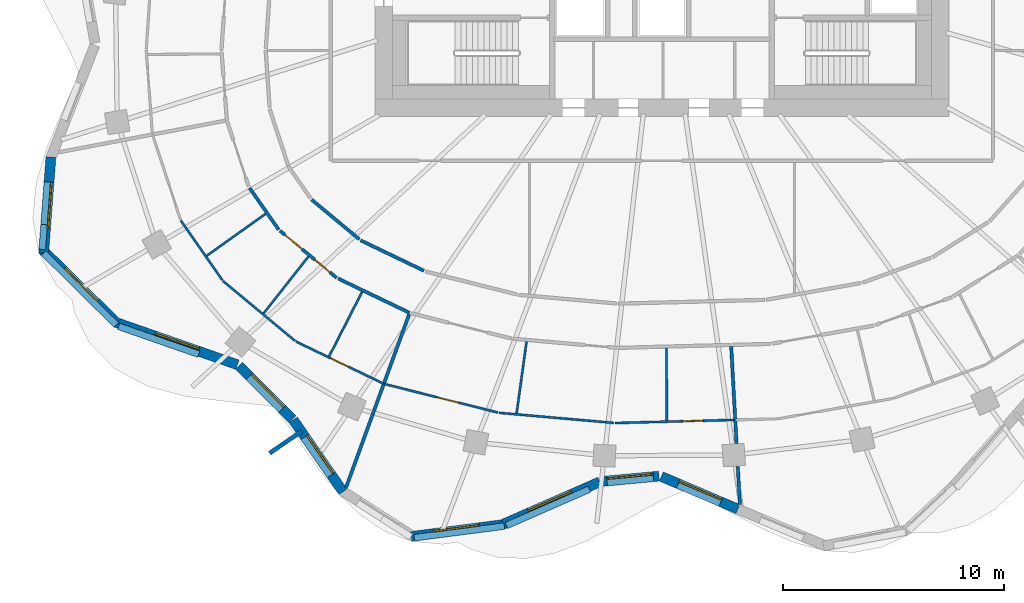
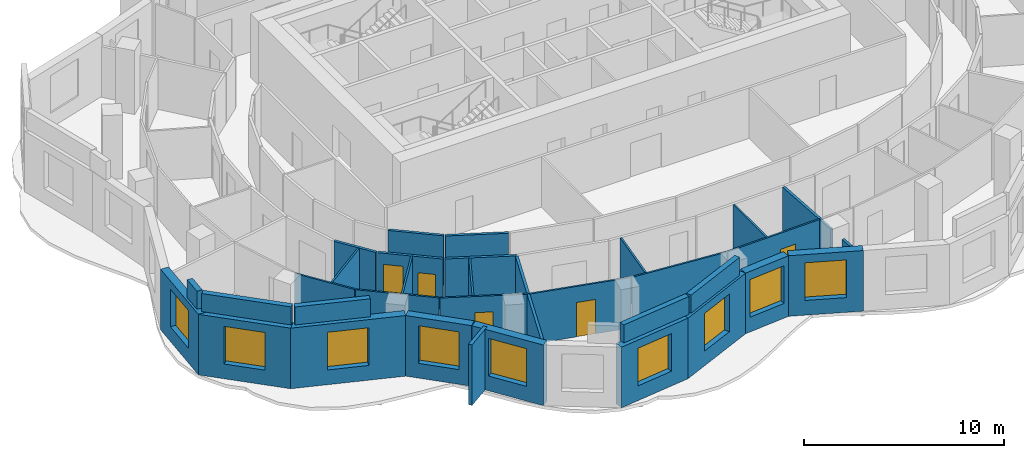
# One storey, part 3 of 11: 34 walls, 9 windows, 5 doors, 14 openings.
"""IFC4 building model written with IfcOpenShell, lengths in metres."""

from ifc_helpers import new_model, si_unit, direction, frame, frame_2d, origin, place, context, subcontext, project, spatial, rectangle, extrude, material, layer, layer_set, type_object, element, fill, save


model = new_model("IFC4")

# Units and contexts
model_context = context("Model", 3, precision=1e-05, world=origin(), true_north=direction((0.0, 1.0)))
body_context = subcontext(model_context, "Body", "Model", "MODEL_VIEW")
ifc_project = project(units=[si_unit("LENGTHUNIT", "METRE"), si_unit("AREAUNIT", "SQUARE_METRE"), si_unit("VOLUMEUNIT", "CUBIC_METRE"), si_unit("PLANEANGLEUNIT", "RADIAN"), si_unit("MASSUNIT", "GRAM", prefix="KILO")], contexts=[model_context])

# Site, building, storey
site_placement = place(None, origin())
site = spatial("IfcSite", under=ifc_project, at=site_placement, CompositionType="ELEMENT")
building_placement = place(site_placement, origin())
building = spatial("IfcBuilding", under=site, at=building_placement, Name="Rubra Terraces Tower", CompositionType="ELEMENT")
storey_placement = place(building_placement, frame((0.0, 0.0, 197.39990234375)))
storey = spatial("IfcBuildingStorey", under=building, at=storey_placement, Name="L48", CompositionType="ELEMENT", Elevation=197.39990234375)

# Wall, opening, window
ifc_material_1 = material(Name="Brick masonry red-brown", Category="masonry")
ifc_layer_1 = layer(ifc_material_1, 0.449951171875)
ifc_layer_set_1 = layer_set([ifc_layer_1], Name="Brick masonry red-brown")
wall_type_1 = type_object("IfcWallType", Name="Brick facade wall 450", PredefinedType="SOLIDWALL", material=ifc_layer_set_1)
wall_1_placement = place(storey_placement, frame((-27.671142578125, -4.831298828125, 0.0), z_axis=(0.0, 0.0, 1.0), x_axis=(-0.075658122047, -0.997133816781, 0.0)))
wall_1 = element("IfcWall", 1, at=wall_1_placement, inside=storey, type_object=wall_type_1, Name="Facade wall L48 bay 22", PredefinedType="SOLIDWALL", context=body_context, shape_type="SweptSolid", body=[
    extrude(rectangle(XDim=4.369140625, YDim=0.449951171875, at=frame_2d((2.1845703125, 0.0))), origin(), (0.0, 0.0, 1.0), 3.7001953125),
])
opening_1_placement = place(wall_1_placement, frame((1.134521484375, 0.0, 0.89990234375)))
opening_1 = element("IfcOpeningElement", 2, at=opening_1_placement, cuts=wall_1, Name="Opening W1B", PredefinedType="OPENING", context=body_context, shape_type="SweptSolid", body=[
    extrude(rectangle(XDim=2.10009765625, YDim=2.300048828125, at=frame_2d((1.050048828125, 1.14990234375))), frame((0.0, 0.23486328125, 0.0), z_axis=(0.0, -1.0, 0.0), x_axis=(1.0, 0.0, 0.0)), (0.0, 0.0, 1.0), 0.469970703125),
])
ifc_material_2 = material(Name="Clear glass in aluminium frame", Category="aluminium")
window_type = type_object("IfcWindowType", Name="Fixed deep-set window tall storey 2100 x 2300", PartitioningType="SINGLE_PANEL", PredefinedType="WINDOW", material=ifc_material_2)
window_1_placement = place(opening_1_placement, origin())
window_1 = element("IfcWindow", 3, at=window_1_placement, inside=storey, type_object=window_type, Name="Window L48 bay 22", OverallHeight=2.300048828125, OverallWidth=2.10009765625, PartitioningType="SINGLE_PANEL", PredefinedType="WINDOW", context=body_context, shape_type="SweptSolid", body=[
    extrude(rectangle(XDim=2.10009765625, YDim=2.300048828125, at=frame_2d((1.050048828125, 1.14990234375))), frame((0.0, 0.135009765625, 0.0), z_axis=(0.0, -1.0, 0.0), x_axis=(1.0, 0.0, 0.0)), (0.0, 0.0, 1.0), 0.06005859375),
])
fill(opening_1, window_1)

wall_2_placement = place(storey_placement, frame((-28.06787109375, -9.010986328125, 0.0), z_axis=(0.0, 0.0, 1.0), x_axis=(0.711293453435, -0.702895172199, 0.0)))
wall_2 = element("IfcWall", 4, at=wall_2_placement, inside=storey, type_object=wall_type_1, Name="Facade wall L48 bay 23", PredefinedType="SOLIDWALL", context=body_context, shape_type="SweptSolid", body=[
    extrude(rectangle(XDim=4.767578125, YDim=0.449951171875, at=frame_2d((2.3837890625, 0.0))), origin(), (0.0, 0.0, 1.0), 3.7001953125),
])
opening_2_placement = place(wall_2_placement, frame((1.333740234375, 0.0, 0.89990234375)))
opening_2 = element("IfcOpeningElement", 5, at=opening_2_placement, cuts=wall_2, Name="Opening W1B", PredefinedType="OPENING", context=body_context, shape_type="SweptSolid", body=[
    extrude(rectangle(XDim=2.10009765625, YDim=2.300048828125, at=frame_2d((1.050048828125, 1.14990234375))), frame((0.0, 0.23486328125, 0.0), z_axis=(0.0, -1.0, 0.0), x_axis=(1.0, 0.0, 0.0)), (0.0, 0.0, 1.0), 0.469970703125),
])
window_2_placement = place(opening_2_placement, origin())
window_2 = element("IfcWindow", 6, at=window_2_placement, inside=storey, type_object=window_type, Name="Window L48 bay 23", OverallHeight=2.300048828125, OverallWidth=2.10009765625, PartitioningType="SINGLE_PANEL", PredefinedType="WINDOW", context=body_context, shape_type="SweptSolid", body=[
    extrude(rectangle(XDim=2.10009765625, YDim=2.300048828125, at=frame_2d((1.050048828125, 1.14990234375))), frame((0.0, 0.135009765625, 0.0), z_axis=(0.0, -1.0, 0.0), x_axis=(1.0, 0.0, 0.0)), (0.0, 0.0, 1.0), 0.06005859375),
])
fill(opening_2, window_2)

wall_3_placement = place(storey_placement, frame((-24.760986328125, -12.309814453125, 0.0), z_axis=(0.0, 0.0, 1.0), x_axis=(0.944397305248, -0.328806523414, 0.0)))
wall_3 = element("IfcWall", 7, at=wall_3_placement, inside=storey, type_object=wall_type_1, Name="Facade wall L48 bay 24", PredefinedType="SOLIDWALL", context=body_context, shape_type="SweptSolid", body=[
    extrude(rectangle(XDim=5.862060546875, YDim=0.449951171875, at=frame_2d((2.93115234375, 0.0))), origin(), (0.0, 0.0, 1.0), 3.7001953125),
])
opening_3_placement = place(wall_3_placement, frame((1.881103515625, 0.0, 0.89990234375)))
opening_3 = element("IfcOpeningElement", 8, at=opening_3_placement, cuts=wall_3, Name="Opening W1B", PredefinedType="OPENING", context=body_context, shape_type="SweptSolid", body=[
    extrude(rectangle(XDim=2.10009765625, YDim=2.300048828125, at=frame_2d((1.050048828125, 1.14990234375))), frame((0.0, 0.23486328125, 0.0), z_axis=(0.0, -1.0, 0.0), x_axis=(1.0, 0.0, 0.0)), (0.0, 0.0, 1.0), 0.469970703125),
])
window_3_placement = place(opening_3_placement, origin())
window_3 = element("IfcWindow", 9, at=window_3_placement, inside=storey, type_object=window_type, Name="Window L48 bay 24", OverallHeight=2.300048828125, OverallWidth=2.10009765625, PartitioningType="SINGLE_PANEL", PredefinedType="WINDOW", context=body_context, shape_type="SweptSolid", body=[
    extrude(rectangle(XDim=2.10009765625, YDim=2.300048828125, at=frame_2d((1.050048828125, 1.14990234375))), frame((0.0, 0.135009765625, 0.0), z_axis=(0.0, -1.0, 0.0), x_axis=(1.0, 0.0, 0.0)), (0.0, 0.0, 1.0), 0.06005859375),
])
fill(opening_3, window_3)

wall_4_placement = place(storey_placement, frame((-19.145263671875, -14.285400390625, 0.0), z_axis=(0.0, 0.0, 1.0), x_axis=(0.707427521052, -0.706785895769, 0.0)))
wall_4 = element("IfcWall", 10, at=wall_4_placement, inside=storey, type_object=wall_type_1, Name="Facade wall L48 bay 25", PredefinedType="SOLIDWALL", context=body_context, shape_type="SweptSolid", body=[
    extrude(rectangle(XDim=3.424560546875, YDim=0.449951171875, at=frame_2d((1.71240234375, 0.0))), origin(), (0.0, 0.0, 1.0), 3.7001953125),
])
opening_4_placement = place(wall_4_placement, frame((0.662353515625, 0.0, 0.89990234375)))
opening_4 = element("IfcOpeningElement", 11, at=opening_4_placement, cuts=wall_4, Name="Opening W1B", PredefinedType="OPENING", context=body_context, shape_type="SweptSolid", body=[
    extrude(rectangle(XDim=2.10009765625, YDim=2.300048828125, at=frame_2d((1.050048828125, 1.14990234375))), frame((0.0, 0.23486328125, 0.0), z_axis=(0.0, -1.0, 0.0), x_axis=(1.0, 0.0, 0.0)), (0.0, 0.0, 1.0), 0.469970703125),
])
window_4_placement = place(opening_4_placement, origin())
window_4 = element("IfcWindow", 12, at=window_4_placement, inside=storey, type_object=window_type, Name="Window L48 bay 25", OverallHeight=2.300048828125, OverallWidth=2.10009765625, PartitioningType="SINGLE_PANEL", PredefinedType="WINDOW", context=body_context, shape_type="SweptSolid", body=[
    extrude(rectangle(XDim=2.10009765625, YDim=2.300048828125, at=frame_2d((1.050048828125, 1.14990234375))), frame((0.0, 0.135009765625, 0.0), z_axis=(0.0, -1.0, 0.0), x_axis=(1.0, 0.0, 0.0)), (0.0, 0.0, 1.0), 0.06005859375),
])
fill(opening_4, window_4)

wall_5_placement = place(storey_placement, frame((-16.695068359375, -16.73681640625, 0.0), z_axis=(0.0, 0.0, 1.0), x_axis=(0.569652445465, -0.821885692402, 0.0)))
wall_5 = element("IfcWall", 13, at=wall_5_placement, inside=storey, type_object=wall_type_1, Name="Facade wall L48 bay 26", PredefinedType="SOLIDWALL", context=body_context, shape_type="SweptSolid", body=[
    extrude(rectangle(XDim=3.958740234375, YDim=0.449951171875, at=frame_2d((1.9794921875, 0.0))), origin(), (0.0, 0.0, 1.0), 3.7001953125),
])
opening_5_placement = place(wall_5_placement, frame((0.929443359375, 0.0, 0.89990234375)))
opening_5 = element("IfcOpeningElement", 14, at=opening_5_placement, cuts=wall_5, Name="Opening W1B", PredefinedType="OPENING", context=body_context, shape_type="SweptSolid", body=[
    extrude(rectangle(XDim=2.10009765625, YDim=2.300048828125, at=frame_2d((1.050048828125, 1.14990234375))), frame((0.0, 0.23486328125, 0.0), z_axis=(0.0, -1.0, 0.0), x_axis=(1.0, 0.0, 0.0)), (0.0, 0.0, 1.0), 0.469970703125),
])
window_5_placement = place(opening_5_placement, origin())
window_5 = element("IfcWindow", 15, at=window_5_placement, inside=storey, type_object=window_type, Name="Window L48 bay 26", OverallHeight=2.300048828125, OverallWidth=2.10009765625, PartitioningType="SINGLE_PANEL", PredefinedType="WINDOW", context=body_context, shape_type="SweptSolid", body=[
    extrude(rectangle(XDim=2.10009765625, YDim=2.300048828125, at=frame_2d((1.050048828125, 1.14990234375))), frame((0.0, 0.135009765625, 0.0), z_axis=(0.0, -1.0, 0.0), x_axis=(1.0, 0.0, 0.0)), (0.0, 0.0, 1.0), 0.06005859375),
])
fill(opening_5, window_5)

wall_6_placement = place(storey_placement, frame((-11.36181640625, -22.017822265625, 0.0), z_axis=(0.0, 0.0, 1.0), x_axis=(0.991724958022, 0.128380713645, 0.0)))
wall_6 = element("IfcWall", 16, at=wall_6_placement, inside=storey, type_object=wall_type_1, Name="Facade wall L48 bay 28", PredefinedType="SOLIDWALL", context=body_context, shape_type="SweptSolid", body=[
    extrude(rectangle(XDim=4.181884765625, YDim=0.449951171875, at=frame_2d((2.0908203125, 0.0))), origin(), (0.0, 0.0, 1.0), 3.7001953125),
])
opening_6_placement = place(wall_6_placement, frame((1.041015625, 0.0, 0.89990234375)))
opening_6 = element("IfcOpeningElement", 17, at=opening_6_placement, cuts=wall_6, Name="Opening W1B", PredefinedType="OPENING", context=body_context, shape_type="SweptSolid", body=[
    extrude(rectangle(XDim=2.10009765625, YDim=2.300048828125, at=frame_2d((1.050048828125, 1.14990234375))), frame((0.0, 0.23486328125, 0.0), z_axis=(0.0, -1.0, 0.0), x_axis=(1.0, 0.0, 0.0)), (0.0, 0.0, 1.0), 0.469970703125),
])
window_6_placement = place(opening_6_placement, origin())
window_6 = element("IfcWindow", 18, at=window_6_placement, inside=storey, type_object=window_type, Name="Window L48 bay 28", OverallHeight=2.300048828125, OverallWidth=2.10009765625, PartitioningType="SINGLE_PANEL", PredefinedType="WINDOW", context=body_context, shape_type="SweptSolid", body=[
    extrude(rectangle(XDim=2.10009765625, YDim=2.300048828125, at=frame_2d((1.050048828125, 1.14990234375))), frame((0.0, 0.135009765625, 0.0), z_axis=(0.0, -1.0, 0.0), x_axis=(1.0, 0.0, 0.0)), (0.0, 0.0, 1.0), 0.06005859375),
])
fill(opening_6, window_6)

wall_7_placement = place(storey_placement, frame((-7.27587890625, -21.498046875, 0.0), z_axis=(0.0, 0.0, 1.0), x_axis=(0.915872941312, 0.401468249519, 0.0)))
wall_7 = element("IfcWall", 19, at=wall_7_placement, inside=storey, type_object=wall_type_1, Name="Facade wall L48 bay 29", PredefinedType="SOLIDWALL", context=body_context, shape_type="SweptSolid", body=[
    extrude(rectangle(XDim=4.870361328125, YDim=0.449951171875, at=frame_2d((2.43505859375, 0.0))), origin(), (0.0, 0.0, 1.0), 3.7001953125),
])
opening_7_placement = place(wall_7_placement, frame((1.38525390625, 0.0, 0.89990234375)))
opening_7 = element("IfcOpeningElement", 20, at=opening_7_placement, cuts=wall_7, Name="Opening W1B", PredefinedType="OPENING", context=body_context, shape_type="SweptSolid", body=[
    extrude(rectangle(XDim=2.10009765625, YDim=2.300048828125, at=frame_2d((1.050048828125, 1.14990234375))), frame((0.0, 0.23486328125, 0.0), z_axis=(0.0, -1.0, 0.0), x_axis=(1.0, 0.0, 0.0)), (0.0, 0.0, 1.0), 0.469970703125),
])
window_7_placement = place(opening_7_placement, origin())
window_7 = element("IfcWindow", 21, at=window_7_placement, inside=storey, type_object=window_type, Name="Window L48 bay 29", OverallHeight=2.300048828125, OverallWidth=2.10009765625, PartitioningType="SINGLE_PANEL", PredefinedType="WINDOW", context=body_context, shape_type="SweptSolid", body=[
    extrude(rectangle(XDim=2.10009765625, YDim=2.300048828125, at=frame_2d((1.050048828125, 1.14990234375))), frame((0.0, 0.135009765625, 0.0), z_axis=(0.0, -1.0, 0.0), x_axis=(1.0, 0.0, 0.0)), (0.0, 0.0, 1.0), 0.06005859375),
])
fill(opening_7, window_7)

wall_8_placement = place(storey_placement, frame((-2.745361328125, -19.52490234375, 0.0), z_axis=(0.0, 0.0, 1.0), x_axis=(0.995768774275, 0.091894222771, 0.0)))
wall_8 = element("IfcWall", 22, at=wall_8_placement, inside=storey, type_object=wall_type_1, Name="Facade wall L48 bay 30", PredefinedType="SOLIDWALL", context=body_context, shape_type="SweptSolid", body=[
    extrude(rectangle(XDim=2.624755859375, YDim=0.449951171875, at=frame_2d((1.3125, 0.0))), origin(), (0.0, 0.0, 1.0), 3.7001953125),
])
opening_8_placement = place(wall_8_placement, frame((0.262451171875, 0.0, 0.89990234375)))
opening_8 = element("IfcOpeningElement", 23, at=opening_8_placement, cuts=wall_8, Name="Opening W1B", PredefinedType="OPENING", context=body_context, shape_type="SweptSolid", body=[
    extrude(rectangle(XDim=2.10009765625, YDim=2.300048828125, at=frame_2d((1.050048828125, 1.14990234375))), frame((0.0, 0.23486328125, 0.0), z_axis=(0.0, -1.0, 0.0), x_axis=(1.0, 0.0, 0.0)), (0.0, 0.0, 1.0), 0.469970703125),
])
window_8_placement = place(opening_8_placement, origin())
window_8 = element("IfcWindow", 24, at=window_8_placement, inside=storey, type_object=window_type, Name="Window L48 bay 30", OverallHeight=2.300048828125, OverallWidth=2.10009765625, PartitioningType="SINGLE_PANEL", PredefinedType="WINDOW", context=body_context, shape_type="SweptSolid", body=[
    extrude(rectangle(XDim=2.10009765625, YDim=2.300048828125, at=frame_2d((1.050048828125, 1.14990234375))), frame((0.0, 0.135009765625, 0.0), z_axis=(0.0, -1.0, 0.0), x_axis=(1.0, 0.0, 0.0)), (0.0, 0.0, 1.0), 0.06005859375),
])
fill(opening_8, window_8)

wall_9_placement = place(storey_placement, frame((-0.0263671875, -19.29931640625, 0.0), z_axis=(0.0, 0.0, 1.0), x_axis=(0.920040408927, -0.391823488245, 0.0)))
wall_9 = element("IfcWall", 25, at=wall_9_placement, inside=storey, type_object=wall_type_1, Name="Facade wall L48 bay 31", PredefinedType="SOLIDWALL", context=body_context, shape_type="SweptSolid", body=[
    extrude(rectangle(XDim=3.769775390625, YDim=0.449951171875, at=frame_2d((1.884765625, 0.0))), origin(), (0.0, 0.0, 1.0), 3.7001953125),
])
opening_9_placement = place(wall_9_placement, frame((0.8349609375, 0.0, 0.89990234375)))
opening_9 = element("IfcOpeningElement", 26, at=opening_9_placement, cuts=wall_9, Name="Opening W1B", PredefinedType="OPENING", context=body_context, shape_type="SweptSolid", body=[
    extrude(rectangle(XDim=2.10009765625, YDim=2.300048828125, at=frame_2d((1.050048828125, 1.14990234375))), frame((0.0, 0.23486328125, 0.0), z_axis=(0.0, -1.0, 0.0), x_axis=(1.0, 0.0, 0.0)), (0.0, 0.0, 1.0), 0.469970703125),
])
window_9_placement = place(opening_9_placement, origin())
window_9 = element("IfcWindow", 27, at=window_9_placement, inside=storey, type_object=window_type, Name="Window L48 bay 31", OverallHeight=2.300048828125, OverallWidth=2.10009765625, PartitioningType="SINGLE_PANEL", PredefinedType="WINDOW", context=body_context, shape_type="SweptSolid", body=[
    extrude(rectangle(XDim=2.10009765625, YDim=2.300048828125, at=frame_2d((1.050048828125, 1.14990234375))), frame((0.0, 0.135009765625, 0.0), z_axis=(0.0, -1.0, 0.0), x_axis=(1.0, 0.0, 0.0)), (0.0, 0.0, 1.0), 0.06005859375),
])
fill(opening_9, window_9)

# Walls
ifc_layer_2 = layer(ifc_material_1, 0.300048828125)
ifc_layer_set_2 = layer_set([ifc_layer_2], Name="Brick masonry red-brown")
wall_type_2 = type_object("IfcWallType", Name="Brick parapet 300", PredefinedType="PARAPET", material=ifc_layer_set_2)
wall_10_placement = place(storey_placement, frame((-27.978515625, -7.892333984375, 3.900146484375), z_axis=(0.0, 0.0, 1.0), x_axis=(-0.075750382553, -0.997126812167, 0.0)))
element("IfcWall", 28, at=wall_10_placement, inside=storey, type_object=wall_type_2, Name="Parapet L48 bay 22", PredefinedType="PARAPET", context=body_context, shape_type="SweptSolid", body=[
    extrude(rectangle(XDim=1.124755859375, YDim=0.300048828125, at=frame_2d((0.5625, 0.0))), origin(), (0.0, 0.0, 1.0), 1.099853515625),
])
wall_11_placement = place(storey_placement, frame((-28.00048828125, -9.18310546875, 3.900146484375), z_axis=(0.0, 0.0, 1.0), x_axis=(0.711291435321, -0.702897214419, 0.0)))
element("IfcWall", 29, at=wall_11_placement, inside=storey, type_object=wall_type_2, Name="Parapet L48 bay 23", PredefinedType="PARAPET", context=body_context, shape_type="SweptSolid", body=[
    extrude(rectangle(XDim=4.62451171875, YDim=0.300048828125, at=frame_2d((2.312255859375, 0.0))), origin(), (0.0, 0.0, 1.0), 1.099853515625),
])
wall_12_placement = place(storey_placement, frame((-24.605224609375, -12.49951171875, 3.900146484375), z_axis=(0.0, 0.0, 1.0), x_axis=(0.944373295981, -0.328875474668, 0.0)))
element("IfcWall", 30, at=wall_12_placement, inside=storey, type_object=wall_type_2, Name="Parapet L48 bay 24", PredefinedType="PARAPET", context=body_context, shape_type="SweptSolid", body=[
    extrude(rectangle(XDim=3.84228515625, YDim=0.300048828125, at=frame_2d((1.921142578125, 0.0))), origin(), (0.0, 0.0, 1.0), 1.099853515625),
])
wall_13_placement = place(storey_placement, frame((-11.2138671875, -22.07421875, 3.900146484375), z_axis=(0.0, 0.0, 1.0), x_axis=(0.991727449614, 0.128361464939, 0.0)))
element("IfcWall", 31, at=wall_13_placement, inside=storey, type_object=wall_type_2, Name="Parapet L48 bay 28", PredefinedType="PARAPET", context=body_context, shape_type="SweptSolid", body=[
    extrude(rectangle(XDim=4.110107421875, YDim=0.300048828125, at=frame_2d((2.05517578125, 0.0))), origin(), (0.0, 0.0, 1.0), 1.099853515625),
])
wall_14_placement = place(storey_placement, frame((-7.039306640625, -21.519287109375, 3.900146484375), z_axis=(0.0, 0.0, 1.0), x_axis=(0.915890739732, 0.401427643384, 0.0)))
element("IfcWall", 32, at=wall_14_placement, inside=storey, type_object=wall_type_2, Name="Parapet L48 bay 29", PredefinedType="PARAPET", context=body_context, shape_type="SweptSolid", body=[
    extrude(rectangle(XDim=4.1015625, YDim=0.300048828125, at=frame_2d((2.05078125, 0.0))), origin(), (0.0, 0.0, 1.0), 1.099853515625),
])
ifc_layer_3 = layer(ifc_material_1, 0.199951171875)
ifc_layer_set_3 = layer_set([ifc_layer_3], Name="Brick masonry red-brown")
wall_type_3 = type_object("IfcWallType", Name="Brick wind fin 200", PredefinedType="SOLIDWALL", material=ifc_layer_set_3)
wall_15_placement = place(storey_placement, frame((-16.322021484375, -17.2529296875, 0.0), z_axis=(0.0, 0.0, 1.0), x_axis=(-0.824440606412, -0.565948483962, 0.0)))
element("IfcWall", 33, at=wall_15_placement, inside=storey, type_object=wall_type_3, Name="Wind fin L48 16", PredefinedType="SOLIDWALL", context=body_context, shape_type="SweptSolid", body=[
    extrude(rectangle(XDim=1.75, YDim=0.199951171875, at=frame_2d((0.875, 0.0))), origin(), (0.0, 0.0, 1.0), 3.7001953125),
])
ifc_material_3 = material(Name="Plasterboard on steel stud, mineral wool infill", Category="steel")
ifc_layer_4 = layer(ifc_material_3, 0.14990234375)
ifc_layer_set_4 = layer_set([ifc_layer_4], Name="Plasterboard on steel stud, mineral wool infill")
wall_type_4 = type_object("IfcWallType", Name="CORRIDOR PARTITION 150", PredefinedType="PARTITIONING", material=ifc_layer_set_4)
wall_16_placement = place(storey_placement, frame((-18.673828125, -6.231689453125, 0.0), z_axis=(0.0, 0.0, 1.0), x_axis=(0.572118665737, -0.820170855563, 0.0)))
element("IfcWall", 34, at=wall_16_placement, inside=storey, type_object=wall_type_4, Name="PARTITION", PredefinedType="PARTITIONING", context=body_context, shape_type="SweptSolid", body=[
    extrude(rectangle(XDim=2.30615234375, YDim=0.14990234375, at=frame_2d((1.153076171875, 0.0))), origin(), (0.0, 0.0, 1.0), 3.083984375),
])

# Wall, openings, doors
wall_17_placement = place(storey_placement, frame((-17.296875, -8.1708984375, 0.0), z_axis=(0.0, 0.0, 1.0), x_axis=(0.769228575061, -0.638973707839, 0.0)))
wall_17 = element("IfcWall", 35, at=wall_17_placement, inside=storey, type_object=wall_type_4, Name="PARTITION", PredefinedType="PARTITIONING", context=body_context, shape_type="SweptSolid", body=[
    extrude(rectangle(XDim=3.33447265625, YDim=0.14990234375, at=frame_2d((1.667236328125, 0.0))), origin(), (0.0, 0.0, 1.0), 3.083984375),
])
opening_10_placement = place(wall_17_placement, frame((0.300048828125, 0.0, 0.0)))
opening_10 = element("IfcOpeningElement", 36, at=opening_10_placement, cuts=wall_17, Name="Opening 48-118", PredefinedType="OPENING", context=body_context, shape_type="SweptSolid", body=[
    extrude(rectangle(XDim=1.0, YDim=2.39990234375, at=frame_2d((0.5, 1.199951171875))), frame((0.0, 0.0849609375, 0.0), z_axis=(0.0, -1.0, 0.0), x_axis=(1.0, 0.0, 0.0)), (0.0, 0.0, 1.0), 0.169921875),
])
opening_11_placement = place(wall_17_placement, frame((2.050048828125, 0.0, 0.0)))
opening_11 = element("IfcOpeningElement", 37, at=opening_11_placement, cuts=wall_17, Name="Opening 48-146", PredefinedType="OPENING", context=body_context, shape_type="SweptSolid", body=[
    extrude(rectangle(XDim=0.89990234375, YDim=2.10009765625, at=frame_2d((0.449951171875, 1.050048828125))), frame((0.0, 0.0849609375, 0.0), z_axis=(0.0, -1.0, 0.0), x_axis=(1.0, 0.0, 0.0)), (0.0, 0.0, 1.0), 0.169921875),
])
ifc_material_4 = material(Name="Painted timber door leaf", Category="wood")
door_type_1 = type_object("IfcDoorType", Name="BATHROOM DOOR 900 X 2100", OperationType="SINGLE_SWING_LEFT", PredefinedType="DOOR", material=ifc_material_4)
door_1_placement = place(opening_11_placement, origin())
door_1 = element("IfcDoor", 38, at=door_1_placement, inside=storey, type_object=door_type_1, Name="DOOR 48-146", OperationType="SINGLE_SWING_RIGHT", OverallHeight=2.10009765625, OverallWidth=0.89990234375, PredefinedType="DOOR", context=body_context, shape_type="SweptSolid", body=[
    extrude(rectangle(XDim=0.89990234375, YDim=2.10009765625, at=frame_2d((0.449951171875, 1.050048828125))), frame((0.0, 0.02490234375, 0.0), z_axis=(0.0, -1.0, 0.0), x_axis=(1.0, 0.0, 0.0)), (0.0, 0.0, 1.0), 0.050048828125),
])
fill(opening_11, door_1)
ifc_material_5 = material(Name="Glazed aluminium meeting door leaf", Category="aluminium")
door_type_2 = type_object("IfcDoorType", Name="MEETING ROOM GLAZED DOOR 1000 X 2400", OperationType="SINGLE_SWING_LEFT", PredefinedType="DOOR", material=ifc_material_5)
door_2_placement = place(opening_10_placement, origin())
door_2 = element("IfcDoor", 39, at=door_2_placement, inside=storey, type_object=door_type_2, Name="DOOR 48-118", OperationType="SINGLE_SWING_RIGHT", OverallHeight=2.39990234375, OverallWidth=1.0, PredefinedType="DOOR", context=body_context, shape_type="SweptSolid", body=[
    extrude(rectangle(XDim=1.0, YDim=2.39990234375, at=frame_2d((0.5, 1.199951171875))), frame((0.0, 0.02490234375, 0.0), z_axis=(0.0, -1.0, 0.0), x_axis=(1.0, 0.0, 0.0)), (0.0, 0.0, 1.0), 0.050048828125),
])
fill(opening_10, door_2)

# Walls
wall_18_placement = place(storey_placement, frame((-14.664306640625, -10.333984375, 0.0), z_axis=(0.0, 0.0, 1.0), x_axis=(0.901523057468, -0.432731067585, 0.0)))
element("IfcWall", 40, at=wall_18_placement, inside=storey, type_object=wall_type_4, Name="PARTITION", PredefinedType="PARTITIONING", context=body_context, shape_type="SweptSolid", body=[
    extrude(rectangle(XDim=3.594970703125, YDim=0.14990234375, at=frame_2d((1.79736328125, 0.0))), origin(), (0.0, 0.0, 1.0), 3.083984375),
])
wall_19_placement = place(storey_placement, frame((-10.7763671875, -9.981689453125, 0.0), z_axis=(0.0, 0.0, 1.0), x_axis=(-0.901511079436, 0.432756020933, 0.0)))
element("IfcWall", 41, at=wall_19_placement, inside=storey, type_object=wall_type_4, Name="PARTITION", PredefinedType="PARTITIONING", context=body_context, shape_type="SweptSolid", body=[
    extrude(rectangle(XDim=3.1806640625, YDim=0.14990234375, at=frame_2d((1.59033203125, 0.0))), origin(), (0.0, 0.0, 1.0), 3.083984375),
])
wall_20_placement = place(storey_placement, frame((-13.70166015625, -8.557373046875, 0.0), z_axis=(0.0, 0.0, 1.0), x_axis=(-0.769221825067, 0.638981833733, 0.0)))
element("IfcWall", 42, at=wall_20_placement, inside=storey, type_object=wall_type_4, Name="PARTITION", PredefinedType="PARTITIONING", context=body_context, shape_type="SweptSolid", body=[
    extrude(rectangle(XDim=2.8173828125, YDim=0.14990234375, at=frame_2d((1.40869140625, 0.0))), origin(), (0.0, 0.0, 1.0), 3.083984375),
])

# Wall, opening, door
ifc_material_6 = material(Name="Plasterboard on steel stud", Category="steel")
ifc_layer_5 = layer(ifc_material_6, 0.10009765625)
ifc_layer_set_5 = layer_set([ifc_layer_5], Name="Plasterboard on steel stud")
wall_type_5 = type_object("IfcWallType", Name="ROOM PARTITION 100", PredefinedType="PARTITIONING", material=ifc_layer_set_5)
wall_21_placement = place(storey_placement, frame((-12.61083984375, -15.091064453125, 0.0), z_axis=(0.0, 0.0, 1.0), x_axis=(-0.901527382061, 0.432722057901, 0.0)))
wall_21 = element("IfcWall", 43, at=wall_21_placement, inside=storey, type_object=wall_type_5, Name="PARTITION", PredefinedType="PARTITIONING", context=body_context, shape_type="SweptSolid", body=[
    extrude(rectangle(XDim=4.40478515625, YDim=0.10009765625, at=frame_2d((2.202392578125, 0.0))), origin(), (0.0, 0.0, 1.0), 3.083984375),
])
opening_12_placement = place(wall_21_placement, frame((1.75, 0.0, 0.0)))
opening_12 = element("IfcOpeningElement", 44, at=opening_12_placement, cuts=wall_21, Name="Opening 48-119", PredefinedType="OPENING", context=body_context, shape_type="SweptSolid", body=[
    extrude(rectangle(XDim=0.89990234375, YDim=2.10009765625, at=frame_2d((0.449951171875, 1.050048828125))), frame((0.0, 0.06005859375, 0.0), z_axis=(0.0, -1.0, 0.0), x_axis=(1.0, 0.0, 0.0)), (0.0, 0.0, 1.0), 0.1201171875),
])
door_type_3 = type_object("IfcDoorType", Name="ROOM DOOR 900 X 2100", OperationType="SINGLE_SWING_LEFT", PredefinedType="DOOR", material=ifc_material_4)
door_3_placement = place(opening_12_placement, origin())
door_3 = element("IfcDoor", 45, at=door_3_placement, inside=storey, type_object=door_type_3, Name="DOOR 48-119", OperationType="SINGLE_SWING_LEFT", OverallHeight=2.10009765625, OverallWidth=0.89990234375, PredefinedType="DOOR", context=body_context, shape_type="SweptSolid", body=[
    extrude(rectangle(XDim=0.89990234375, YDim=2.10009765625, at=frame_2d((0.449951171875, 1.050048828125))), frame((0.0, 0.02490234375, 0.0), z_axis=(0.0, -1.0, 0.0), x_axis=(1.0, 0.0, 0.0)), (0.0, 0.0, 1.0), 0.050048828125),
])
fill(opening_12, door_3)

# Walls
wall_22_placement = place(storey_placement, frame((-16.6201171875, -13.153076171875, 0.0), z_axis=(0.0, 0.0, 1.0), x_axis=(-0.76922129881, 0.638982467253, 0.0)))
element("IfcWall", 46, at=wall_22_placement, inside=storey, type_object=wall_type_5, Name="PARTITION", PredefinedType="PARTITIONING", context=body_context, shape_type="SweptSolid", body=[
    extrude(rectangle(XDim=4.23828125, YDim=0.10009765625, at=frame_2d((2.119140625, 0.0))), origin(), (0.0, 0.0, 1.0), 3.083984375),
])
wall_23_placement = place(storey_placement, frame((-19.908935546875, -10.40380859375, 0.0), z_axis=(0.0, 0.0, 1.0), x_axis=(-0.572111951901, 0.820175538828, 0.0)))
element("IfcWall", 47, at=wall_23_placement, inside=storey, type_object=wall_type_5, Name="PARTITION", PredefinedType="PARTITIONING", context=body_context, shape_type="SweptSolid", body=[
    extrude(rectangle(XDim=3.2900390625, YDim=0.10009765625, at=frame_2d((1.64501953125, 0.0))), origin(), (0.0, 0.0, 1.0), 3.083984375),
])
wall_24_placement = place(storey_placement, frame((-17.94873046875, -7.402587890625, 0.0), z_axis=(0.0, 0.0, 1.0), x_axis=(-0.814111063542, -0.58070920108, 0.0)))
element("IfcWall", 48, at=wall_24_placement, inside=storey, type_object=wall_type_5, Name="PARTITION", PredefinedType="PARTITIONING", context=body_context, shape_type="SweptSolid", body=[
    extrude(rectangle(XDim=3.275146484375, YDim=0.10009765625, at=frame_2d((1.6376953125, 0.0))), origin(), (0.0, 0.0, 1.0), 3.083984375),
])
wall_25_placement = place(storey_placement, frame((-16.009033203125, -9.338134765625, 0.0), z_axis=(0.0, 0.0, 1.0), x_axis=(-0.619071458302, -0.785334660839, 0.0)))
element("IfcWall", 49, at=wall_25_placement, inside=storey, type_object=wall_type_5, Name="PARTITION", PredefinedType="PARTITIONING", context=body_context, shape_type="SweptSolid", body=[
    extrude(rectangle(XDim=3.27587890625, YDim=0.10009765625, at=frame_2d((1.637939453125, 0.0))), origin(), (0.0, 0.0, 1.0), 3.083984375),
])
wall_26_placement = place(storey_placement, frame((-13.57763671875, -10.938720703125, 0.0), z_axis=(0.0, 0.0, 1.0), x_axis=(-0.455540357247, -0.890215132942, 0.0)))
element("IfcWall", 50, at=wall_26_placement, inside=storey, type_object=wall_type_5, Name="PARTITION", PredefinedType="PARTITIONING", context=body_context, shape_type="SweptSolid", body=[
    extrude(rectangle(XDim=3.276123046875, YDim=0.10009765625, at=frame_2d((1.63818359375, 0.0))), origin(), (0.0, 0.0, 1.0), 3.083984375),
])

# Wall, opening, door
wall_27_placement = place(storey_placement, frame((3.3017578125, -16.7373046875, 0.0), z_axis=(0.0, 0.0, 1.0), x_axis=(-0.999665233763, -0.025873159948, 0.0)))
wall_27 = element("IfcWall", 51, at=wall_27_placement, inside=storey, type_object=wall_type_5, Name="PARTITION", PredefinedType="PARTITIONING", context=body_context, shape_type="SweptSolid", body=[
    extrude(rectangle(XDim=5.43505859375, YDim=0.10009765625, at=frame_2d((2.717529296875, 0.0))), origin(), (0.0, 0.0, 1.0), 3.083984375),
])
opening_13_placement = place(wall_27_placement, frame((1.4541015625, 0.0, 0.0)))
opening_13 = element("IfcOpeningElement", 52, at=opening_13_placement, cuts=wall_27, Name="Opening 48-123", PredefinedType="OPENING", context=body_context, shape_type="SweptSolid", body=[
    extrude(rectangle(XDim=0.89990234375, YDim=2.10009765625, at=frame_2d((0.449951171875, 1.050048828125))), frame((0.0, 0.06005859375, 0.0), z_axis=(0.0, -1.0, 0.0), x_axis=(1.0, 0.0, 0.0)), (0.0, 0.0, 1.0), 0.1201171875),
])
door_4_placement = place(opening_13_placement, origin())
door_4 = element("IfcDoor", 53, at=door_4_placement, inside=storey, type_object=door_type_3, Name="DOOR 48-123", OperationType="SINGLE_SWING_LEFT", OverallHeight=2.10009765625, OverallWidth=0.89990234375, PredefinedType="DOOR", context=body_context, shape_type="SweptSolid", body=[
    extrude(rectangle(XDim=0.89990234375, YDim=2.10009765625, at=frame_2d((0.449951171875, 1.050048828125))), frame((0.0, 0.02490234375, 0.0), z_axis=(0.0, -1.0, 0.0), x_axis=(1.0, 0.0, 0.0)), (0.0, 0.0, 1.0), 0.050048828125),
])
fill(opening_13, door_4)

# Wall
wall_28_placement = place(storey_placement, frame((-2.181396484375, -16.87353515625, 0.0), z_axis=(0.0, 0.0, 1.0), x_axis=(-0.996143934904, 0.087734035321, 0.0)))
element("IfcWall", 54, at=wall_28_placement, inside=storey, type_object=wall_type_5, Name="PARTITION", PredefinedType="PARTITIONING", context=body_context, shape_type="SweptSolid", body=[
    extrude(rectangle(XDim=5.217529296875, YDim=0.10009765625, at=frame_2d((2.60888671875, 0.0))), origin(), (0.0, 0.0, 1.0), 3.083984375),
])

# Wall, opening, door
wall_29_placement = place(storey_placement, frame((-7.427490234375, -16.403564453125, 0.0), z_axis=(0.0, 0.0, 1.0), x_axis=(-0.969770679243, 0.244018092937, 0.0)))
wall_29 = element("IfcWall", 55, at=wall_29_placement, inside=storey, type_object=wall_type_5, Name="PARTITION", PredefinedType="PARTITIONING", context=body_context, shape_type="SweptSolid", body=[
    extrude(rectangle(XDim=5.3076171875, YDim=0.10009765625, at=frame_2d((2.65380859375, 0.0))), origin(), (0.0, 0.0, 1.0), 3.083984375),
])
opening_14_placement = place(wall_29_placement, frame((1.85009765625, 0.0, 0.0)))
opening_14 = element("IfcOpeningElement", 56, at=opening_14_placement, cuts=wall_29, Name="Opening 48-121", PredefinedType="OPENING", context=body_context, shape_type="SweptSolid", body=[
    extrude(rectangle(XDim=1.0, YDim=2.10009765625, at=frame_2d((0.5, 1.050048828125))), frame((0.0, 0.06005859375, 0.0), z_axis=(0.0, -1.0, 0.0), x_axis=(1.0, 0.0, 0.0)), (0.0, 0.0, 1.0), 0.1201171875),
])
door_type_4 = type_object("IfcDoorType", Name="ROOM DOOR 1000 X 2100", OperationType="SINGLE_SWING_LEFT", PredefinedType="DOOR", material=ifc_material_4)
door_5_placement = place(opening_14_placement, origin())
door_5 = element("IfcDoor", 57, at=door_5_placement, inside=storey, type_object=door_type_4, Name="DOOR 48-121", OperationType="SINGLE_SWING_LEFT", OverallHeight=2.10009765625, OverallWidth=1.0, PredefinedType="DOOR", context=body_context, shape_type="SweptSolid", body=[
    extrude(rectangle(XDim=1.0, YDim=2.10009765625, at=frame_2d((0.5, 1.050048828125))), frame((0.0, 0.02490234375, 0.0), z_axis=(0.0, -1.0, 0.0), x_axis=(1.0, 0.0, 0.0)), (0.0, 0.0, 1.0), 0.050048828125),
])
fill(opening_14, door_5)

# Walls
wall_30_placement = place(storey_placement, frame((-6.12939453125, -13.18798828125, 0.0), z_axis=(0.0, 0.0, 1.0), x_axis=(-0.136990097494, -0.990572416933, 0.0)))
element("IfcWall", 58, at=wall_30_placement, inside=storey, type_object=wall_type_5, Name="PARTITION", PredefinedType="PARTITIONING", context=body_context, shape_type="SweptSolid", body=[
    extrude(rectangle(XDim=3.279296875, YDim=0.10009765625, at=frame_2d((1.6396484375, 0.0))), origin(), (0.0, 0.0, 1.0), 3.083984375),
])
wall_31_placement = place(storey_placement, frame((0.211669921875, -13.4912109375, 0.0), z_axis=(0.0, 0.0, 1.0), x_axis=(0.002533901539, -0.999996789666, 0.0)))
element("IfcWall", 59, at=wall_31_placement, inside=storey, type_object=wall_type_5, Name="PARTITION", PredefinedType="PARTITIONING", context=body_context, shape_type="SweptSolid", body=[
    extrude(rectangle(XDim=3.27587890625, YDim=0.10009765625, at=frame_2d((1.637939453125, 0.0))), origin(), (0.0, 0.0, 1.0), 3.083984375),
])
ifc_layer_6 = layer(ifc_material_6, 0.14990234375)
ifc_layer_set_6 = layer_set([ifc_layer_6], Name="Plasterboard on steel stud")
wall_type_6 = type_object("IfcWallType", Name="ROOM PARTITION 150", PredefinedType="PARTITIONING", material=ifc_layer_set_6)
wall_32_placement = place(storey_placement, frame((-14.30078125, -19.7890625, 0.0), z_axis=(0.0, 0.0, 1.0), x_axis=(0.34224178248, 0.939611921128, 0.0)))
element("IfcWall", 60, at=wall_32_placement, inside=storey, type_object=wall_type_6, Name="PARTITION", PredefinedType="PARTITIONING", context=body_context, shape_type="SweptSolid", body=[
    extrude(rectangle(XDim=8.33203125, YDim=0.14990234375, at=frame_2d((4.166015625, 0.0))), origin(), (0.0, 0.0, 1.0), 3.083984375),
])
wall_33_placement = place(storey_placement, frame((3.5322265625, -20.56591796875, 0.0), z_axis=(0.0, 0.0, 1.0), x_axis=(-0.054930375168, 0.998490187175, 0.0)))
element("IfcWall", 61, at=wall_33_placement, inside=storey, type_object=wall_type_6, Name="PARTITION", PredefinedType="PARTITIONING", context=body_context, shape_type="SweptSolid", body=[
    extrude(rectangle(XDim=1.72900390625, YDim=0.14990234375, at=frame_2d((0.864501953125, 0.0))), origin(), (0.0, 0.0, 1.0), 3.083984375),
])
wall_34_placement = place(storey_placement, frame((3.380126953125, -17.801025390625, 0.0), z_axis=(0.0, 0.0, 1.0), x_axis=(-0.054860476936, 0.998494030062, 0.0)))
element("IfcWall", 62, at=wall_34_placement, inside=storey, type_object=wall_type_6, Name="PARTITION", PredefinedType="PARTITIONING", context=body_context, shape_type="SweptSolid", body=[
    extrude(rectangle(XDim=4.392333984375, YDim=0.14990234375, at=frame_2d((2.1962890625, 0.0))), origin(), (0.0, 0.0, 1.0), 3.083984375),
])

save(model, "model.ifc")
